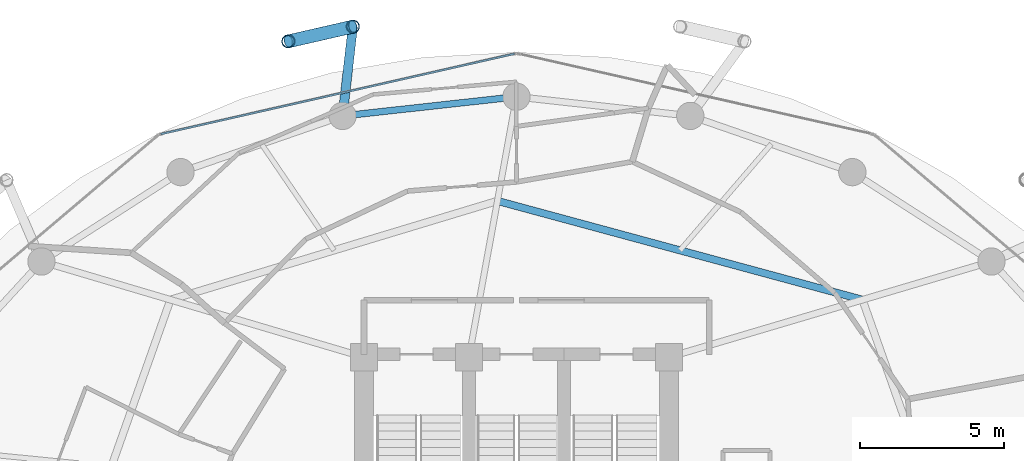
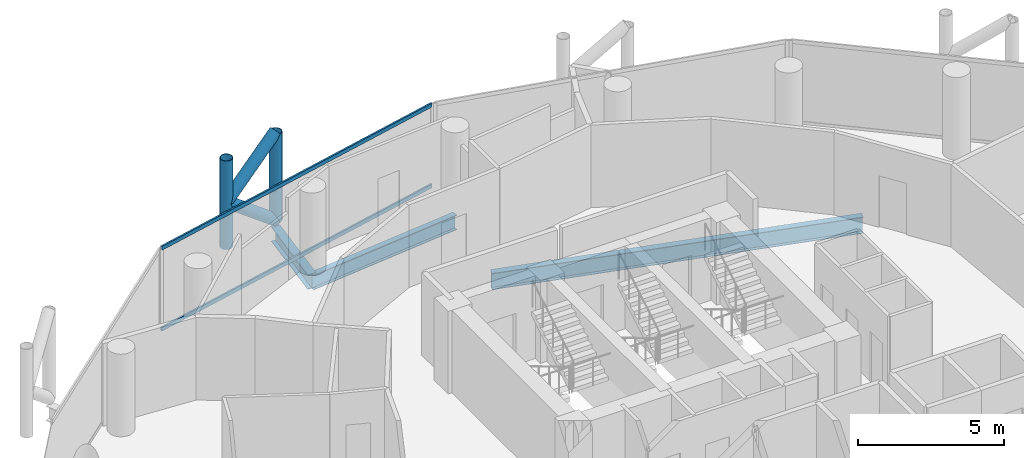
# One storey, part 16 of 26: 6 members, 3 beams, 1 element without a shape of its own.
"""IFC4 building model written with IfcOpenShell, lengths in metres."""

from ifc_helpers import new_model, si_unit, direction, frame, origin, origin_2d, place, context, subcontext, project, spatial, hollow_rectangle, hollow_circle, i_section, extrude, material, layer, layer_set, material_profile, profile_set, type_object, element, aggregate, save


model = new_model("IFC4")

# Units and contexts
model_context = context("Model", 3, precision=1e-05, world=origin(), true_north=direction((0.0, 1.0)))
body_context = subcontext(model_context, "Body", "Model", "MODEL_VIEW")
ifc_project = project(units=[si_unit("LENGTHUNIT", "METRE"), si_unit("AREAUNIT", "SQUARE_METRE"), si_unit("VOLUMEUNIT", "CUBIC_METRE"), si_unit("PLANEANGLEUNIT", "RADIAN"), si_unit("MASSUNIT", "GRAM", prefix="KILO")], contexts=[model_context])

# Site, building, storey
site_placement = place(None, origin())
site = spatial("IfcSite", under=ifc_project, at=site_placement, CompositionType="ELEMENT")
building_placement = place(site_placement, origin())
building = spatial("IfcBuilding", under=site, at=building_placement, Name="Nuhasar Tower", CompositionType="ELEMENT")
storey_placement = place(building_placement, frame((0.0, 0.0, 166.35009765625)))
storey = spatial("IfcBuildingStorey", under=building, at=storey_placement, Name="L40", CompositionType="ELEMENT", Elevation=166.35009765625)

# Beams
ifc_material_1 = material(Name="Steel S355", Category="steel")
ifc_material_profile_1 = material_profile(ifc_material_1, i_section(OverallWidth=0.25390625, OverallDepth=0.68408203125, WebThickness=0.012451171875, FlangeThickness=0.018798828125, at=origin_2d()), Name="W27X94")
ifc_profile_set_1 = profile_set([ifc_material_profile_1], Name="Steel S355")
beam_type_1 = type_object("IfcBeamType", Name="BM-INRING-W27X94", PredefinedType="BEAM", material=ifc_profile_set_1)
beam_1_placement = place(storey_placement, frame((51.027099609375, 39.2939453125, -0.592041015625), z_axis=(-0.96522695776, 0.261413312618, 0.0), x_axis=(-0.261413312618, -0.96522695776, 0.0)))
element("IfcBeam", 1, at=beam_1_placement, inside=storey, type_object=beam_type_1, Name="L40 Inner Header Beam 05", PredefinedType="BEAM", context=body_context, shape_type="SweptSolid", body=[
    extrude(i_section(OverallWidth=0.25390625, OverallDepth=0.68408203125, WebThickness=0.012451171875, FlangeThickness=0.018798828125, at=origin_2d()), origin(), (0.0, 0.0, 1.0), 13.14404296875),
])
ifc_material_profile_2 = material_profile(ifc_material_1, i_section(OverallWidth=0.22998046875, OverallDepth=0.616943359375, WebThickness=0.01318359375, FlangeThickness=0.022216796875, at=origin_2d()), Name="W24X94")
ifc_profile_set_2 = profile_set([ifc_material_profile_2], Name="Steel S355")
beam_type_2 = type_object("IfcBeamType", Name="BM-RING-W24X94", PredefinedType="SPANDREL", material=ifc_profile_set_2)
beam_2_placement = place(storey_placement, frame((39.0, 46.35009765625, -0.55908203125), z_axis=(-0.993981289157, -0.109549974015, 0.0), x_axis=(0.109549974015, -0.993981289157, 0.0)))
element("IfcBeam", 2, at=beam_2_placement, inside=storey, type_object=beam_type_2, Name="L40 Perimeter Ring Spandrel 07", PredefinedType="SPANDREL", context=body_context, shape_type="SweptSolid", body=[
    extrude(i_section(OverallWidth=0.22998046875, OverallDepth=0.616943359375, WebThickness=0.01318359375, FlangeThickness=0.022216796875, at=origin_2d()), origin(), (0.0, 0.0, 1.0), 6.07958984375),
])
ifc_material_profile_3 = material_profile(ifc_material_1, i_section(OverallWidth=0.323974609375, OverallDepth=0.611083984375, WebThickness=0.0126953125, FlangeThickness=0.01904296875, at=origin_2d()), Name="W24X104")
ifc_profile_set_3 = profile_set([ifc_material_profile_3], Name="Steel S355")
beam_type_3 = type_object("IfcBeamType", Name="BM-TIE-W24X104", PredefinedType="BEAM", material=ifc_profile_set_3)
beam_3_placement = place(storey_placement, frame((32.95703125, 45.68408203125, -0.55615234375), z_axis=(0.114167639647, 0.993461499031, 0.0), x_axis=(-0.993461499031, 0.114167639647, 0.0)))
element("IfcBeam", 3, at=beam_3_placement, inside=storey, type_object=beam_type_3, Name="L40 Exoskeleton Node Tie Beam 04", PredefinedType="BEAM", context=body_context, shape_type="SweptSolid", body=[
    extrude(i_section(OverallWidth=0.323974609375, OverallDepth=0.611083984375, WebThickness=0.0126953125, FlangeThickness=0.01904296875, at=origin_2d()), origin(), (0.0, 0.0, 1.0), 3.12646484375),
])

# Curtain wall, members
ifc_material_2 = material(Name="Aluminium 6063-T6", Category="aluminium")
ifc_layer = layer(ifc_material_2, 0.199951171875)
ifc_layer_set = layer_set([ifc_layer], Name="Aluminium 6063-T6")
curtain_wall_type = type_object("IfcCurtainWallType", Name="CW-Z2-HTL", PredefinedType="NOTDEFINED", material=ifc_layer_set)
curtain_wall_placement = place(storey_placement, origin())
curtain_wall = element("IfcCurtainWall", 4, at=curtain_wall_placement, inside=storey, type_object=curtain_wall_type, Name="L40 Unitised Curtain Wall 04", PredefinedType="NOTDEFINED")
ifc_material_profile_4 = material_profile(ifc_material_2, hollow_rectangle(XDim=0.070068359375, YDim=0.159912109375, WallThickness=0.00439453125, at=origin_2d()), Name="CWT-3")
ifc_profile_set_4 = profile_set([ifc_material_profile_4], Name="Aluminium 6063-T6")
member_type_1 = type_object("IfcMemberType", Name="CW-TRN-S3", PredefinedType="USERDEFINED", material=ifc_profile_set_4)
member_1_placement = place(storey_placement, frame((38.931640625, 47.844482421875, 0.034912109375), z_axis=(-0.975183434528, -0.221398439519, 0.0), x_axis=(0.221398439519, -0.975183434528, 0.0)))
member_1 = element("IfcMember", 5, at=member_1_placement, type_object=member_type_1, Name="CW-Z2 transom 1.1", ObjectType="TRANSOM", PredefinedType="USERDEFINED", context=body_context, shape_type="SweptSolid", body=[
    extrude(hollow_rectangle(XDim=0.070068359375, YDim=0.159912109375, WallThickness=0.00439453125, at=origin_2d()), origin(), (0.0, 0.0, 1.0), 12.606201171875),
])
member_2_placement = place(storey_placement, frame((38.931640625, 47.844482421875, 3.414794921875), z_axis=(-0.975183434528, -0.221398439519, 0.0), x_axis=(0.221398439519, -0.975183434528, 0.0)))
member_2 = element("IfcMember", 6, at=member_2_placement, type_object=member_type_1, Name="CW-Z2 transom 1.2", ObjectType="TRANSOM", PredefinedType="USERDEFINED", context=body_context, shape_type="SweptSolid", body=[
    extrude(hollow_rectangle(XDim=0.070068359375, YDim=0.159912109375, WallThickness=0.00439453125, at=origin_2d()), origin(), (0.0, 0.0, 1.0), 12.606201171875),
])
aggregate(curtain_wall, [member_1, member_2])

# Members
ifc_material_3 = material(Name="Steel S460", Category="steel")
ifc_material_profile_5 = material_profile(ifc_material_3, hollow_circle(Radius=0.228515625, WallThickness=0.022216796875, at=origin_2d()), Name="HSS457X22.2")
ifc_profile_set_5 = profile_set([ifc_material_profile_5], Name="Steel S460")
member_type_2 = type_object("IfcMemberType", Name="EXO-BRONZE-457", PredefinedType="BRACE", material=ifc_profile_set_5)
for number, where, z_axis, x_axis, name in (
    (7, (33.31396484375, 48.7900390625, 0.0), (0.0, 0.0, 1.0), (1.0, 0.0, 0.0), "L40 Exoskeleton Chord Column EC-04A"),
    (8, (31.072021484375, 48.27587890625, 0.0), (0.0, 0.0, 1.0), (1.0, 0.0, 0.0), "L40 Exoskeleton Chord Column EC-04B"),
):
    element("IfcMember", number, at=place(storey_placement, frame(where, z_axis=z_axis, x_axis=x_axis)), inside=storey, type_object=member_type_2, Name=name, PredefinedType="BRACE", context=body_context, shape_type="SweptSolid", body=[
        extrude(hollow_circle(Radius=0.228515625, WallThickness=0.022216796875, at=origin_2d()), origin(), (0.0, 0.0, 1.0), 3.699951171875),
    ])
member_3_placement = place(storey_placement, frame((33.31396484375, 48.7900390625, 0.0), z_axis=(-0.759538919781, -0.174190239035, 0.626704388019), x_axis=(0.223533724104, -0.974696195842, 0.0)))
element("IfcMember", 9, at=member_3_placement, inside=storey, type_object=member_type_2, Name="L40 Bronze Diagrid Brace W1-04", PredefinedType="BRACE", context=body_context, shape_type="SweptSolid", body=[
    extrude(hollow_circle(Radius=0.228515625, WallThickness=0.022216796875, at=origin_2d()), origin(), (0.0, 0.0, 1.0), 2.95166015625),
])
member_4_placement = place(storey_placement, frame((31.072021484375, 48.27587890625, 1.849853515625), z_axis=(0.759499549084, 0.174181209885, 0.626754609927), x_axis=(-0.223533724104, 0.974696195842, 0.0)))
element("IfcMember", 10, at=member_4_placement, inside=storey, type_object=member_type_2, Name="L40 Bronze Diagrid Brace W2-04", PredefinedType="BRACE", context=body_context, shape_type="SweptSolid", body=[
    extrude(hollow_circle(Radius=0.228515625, WallThickness=0.022216796875, at=origin_2d()), origin(), (0.0, 0.0, 1.0), 2.951904296875),
])

save(model, "model.ifc")
